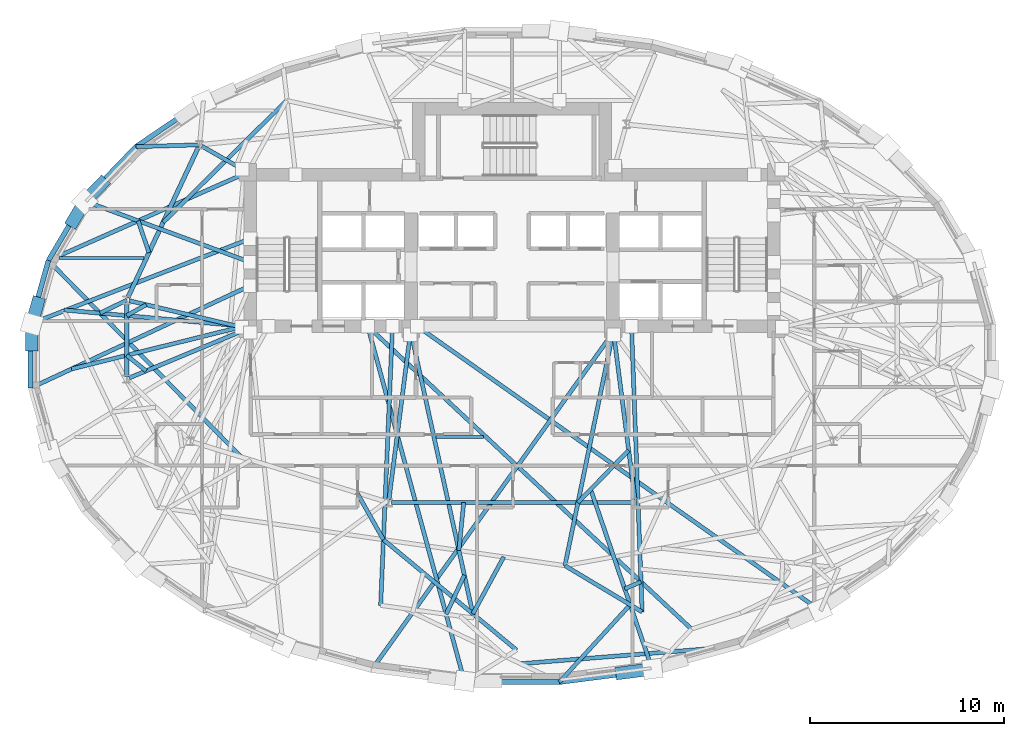
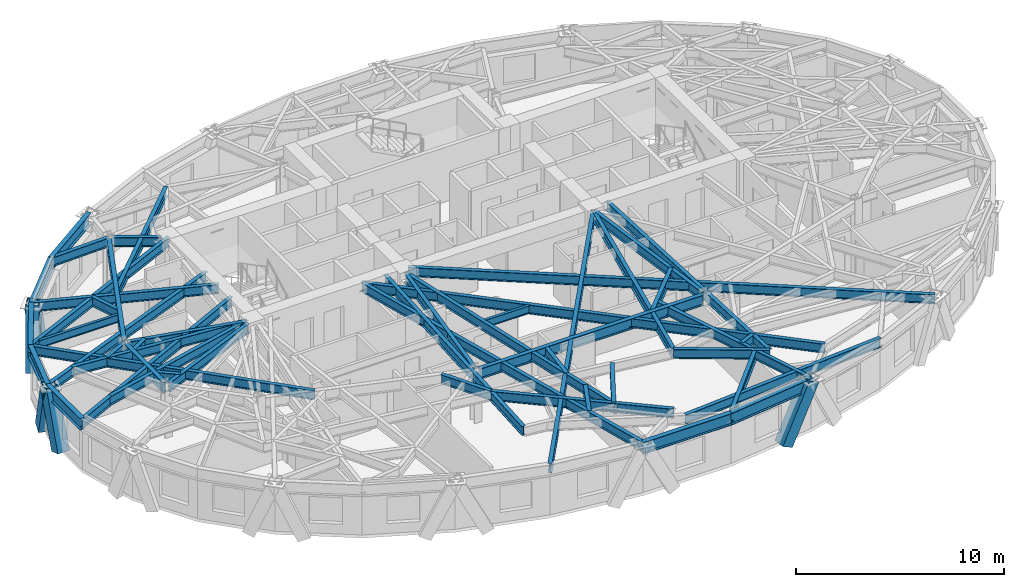
# One storey, part 2 of 15: 49 beams, 5 members.
"""IFC4 building model written with IfcOpenShell, lengths in metres."""

from ifc_helpers import new_model, si_unit, direction, frame, origin, origin_2d, place, context, subcontext, project, spatial, hollow_rectangle, i_section, extrude, material, material_profile, profile_set, type_object, element, save


model = new_model("IFC4")

# Units and contexts
model_context = context("Model", 3, precision=1e-05, world=origin(), true_north=direction((0.0, 1.0)))
body_context = subcontext(model_context, "Body", "Model", "MODEL_VIEW")
ifc_project = project(units=[si_unit("LENGTHUNIT", "METRE"), si_unit("AREAUNIT", "SQUARE_METRE"), si_unit("VOLUMEUNIT", "CUBIC_METRE"), si_unit("PLANEANGLEUNIT", "RADIAN"), si_unit("MASSUNIT", "GRAM", prefix="KILO")], contexts=[model_context])

# Site, building, storey
site_placement = place(None, origin())
site = spatial("IfcSite", under=ifc_project, at=site_placement, CompositionType="ELEMENT")
building_placement = place(site_placement, origin())
building = spatial("IfcBuilding", under=site, at=building_placement, Name="Keldmark Tower", CompositionType="ELEMENT")
storey_placement = place(building_placement, frame((0.0, 0.0, 163.0)))
storey = spatial("IfcBuildingStorey", under=building, at=storey_placement, Name="L44", CompositionType="ELEMENT", Elevation=163.0)

# Beams
ifc_material_1 = material(Name="Steel ASTM A992 Grade 50", Category="steel")
ifc_material_profile_1 = material_profile(ifc_material_1, i_section(OverallWidth=0.153076171875, OverallDepth=0.455078125, WebThickness=0.008056640625, FlangeThickness=0.01318359375, at=origin_2d()), Name="W18X40")
ifc_profile_set_1 = profile_set([ifc_material_profile_1], Name="Steel ASTM A992 Grade 50")
beam_type_1 = type_object("IfcBeamType", Name="Composite Floor Joist W18X40", PredefinedType="JOIST", material=ifc_profile_set_1)
beam_1_placement = place(storey_placement, frame((-3.917236328125, -4.179931640625, 2.79248046875), z_axis=(1.0, 0.0, 0.0), x_axis=(0.0, 1.0, 0.0)))
element("IfcBeam", 1, at=beam_1_placement, inside=storey, type_object=beam_type_1, Name="L44 Composite Floor Joist J03", PredefinedType="JOIST", context=body_context, shape_type="SweptSolid", body=[
    extrude(i_section(OverallWidth=0.153076171875, OverallDepth=0.455078125, WebThickness=0.008056640625, FlangeThickness=0.01318359375, at=origin_2d()), origin(), (0.0, 0.0, 1.0), 2.4501953125),
])
beam_2_placement = place(storey_placement, frame((-23.309326171875, 5.0400390625, 2.79248046875), z_axis=(1.0, 0.0, 0.0), x_axis=(0.0, 1.0, 0.0)))
element("IfcBeam", 2, at=beam_2_placement, inside=storey, type_object=beam_type_1, Name="L44 Composite Floor Joist J06", PredefinedType="JOIST", context=body_context, shape_type="SweptSolid", body=[
    extrude(i_section(OverallWidth=0.153076171875, OverallDepth=0.455078125, WebThickness=0.008056640625, FlangeThickness=0.01318359375, at=origin_2d()), origin(), (0.0, 0.0, 1.0), 4.381591796875),
])

# Members
ifc_material_2 = material(Name="Steel ASTM A572 Grade 50", Category="steel")
ifc_material_profile_2 = material_profile(ifc_material_2, hollow_rectangle(XDim=0.64990234375, YDim=0.64990234375, WallThickness=0.0400390625, at=origin_2d()), Name="BOX650X650X40")
ifc_profile_set_2 = profile_set([ifc_material_profile_2], Name="Steel ASTM A572 Grade 50")
member_type = type_object("IfcMemberType", Name="Diagrid Zone 3 Brace BOX650X650X40", PredefinedType="BRACE", material=ifc_profile_set_2)
member_1_placement = place(storey_placement, frame((-21.0947265625, 8.873291015625, -0.260009765625), z_axis=(-0.262478568709, -0.271564090166, 0.925936253692), x_axis=(0.719032546856, -0.694976400004, 0.0)))
element("IfcMember", 3, at=member_1_placement, inside=storey, type_object=member_type, Name="L44 Perimeter Diagrid Brace 07A", PredefinedType="BRACE", context=body_context, shape_type="SweptSolid", body=[
    extrude(hollow_rectangle(XDim=0.64990234375, YDim=0.64990234375, WallThickness=0.0400390625, at=origin_2d()), origin(), (0.0, 0.0, 1.0), 3.41259765625),
])
member_2_placement = place(storey_placement, frame((-22.590576171875, 6.929931640625, -0.260009765625), z_axis=(0.179634339939, 0.303896484951, 0.935616604357), x_axis=(-0.860853140724, 0.508853485894, 0.0)))
element("IfcMember", 4, at=member_2_placement, inside=storey, type_object=member_type, Name="L44 Perimeter Diagrid Brace 07B", PredefinedType="BRACE", context=body_context, shape_type="SweptSolid", body=[
    extrude(hollow_rectangle(XDim=0.64990234375, YDim=0.64990234375, WallThickness=0.0400390625, at=origin_2d()), origin(), (0.0, 0.0, 1.0), 3.37744140625),
])
member_3_placement = place(storey_placement, frame((-24.405517578125, 2.72021484375, -0.260009765625), z_axis=(-0.090321139282, -0.323220128566, 0.94200363072), x_axis=(0.963103534488, -0.269131161067, 0.0)))
element("IfcMember", 5, at=member_3_placement, inside=storey, type_object=member_type, Name="L44 Perimeter Diagrid Brace 08A", PredefinedType="BRACE", context=body_context, shape_type="SweptSolid", body=[
    extrude(hollow_rectangle(XDim=0.64990234375, YDim=0.64990234375, WallThickness=0.0400390625, at=origin_2d()), origin(), (0.0, 0.0, 1.0), 3.3544921875),
])
member_4_placement = place(storey_placement, frame((-24.706298828125, 0.54541015625, -0.260009765625), z_axis=(0.0, 0.329372156318, 0.944200181446), x_axis=(-1.0, 0.0, 0.0)))
element("IfcMember", 6, at=member_4_placement, inside=storey, type_object=member_type, Name="L44 Perimeter Diagrid Brace 08B", PredefinedType="BRACE", context=body_context, shape_type="SweptSolid", body=[
    extrude(hollow_rectangle(XDim=0.64990234375, YDim=0.64990234375, WallThickness=0.0400390625, at=origin_2d()), origin(), (0.0, 0.0, 1.0), 3.3466796875),
])
member_5_placement = place(storey_placement, frame((5.6318359375, -16.3173828125, -0.260009765625), z_axis=(0.450780651387, 0.057878859209, 0.890756331435), x_axis=(-0.127351493636, 0.991857649599, 0.0)))
element("IfcMember", 7, at=member_5_placement, inside=storey, type_object=member_type, Name="L44 Perimeter Diagrid Brace 13A", PredefinedType="BRACE", context=body_context, shape_type="SweptSolid", body=[
    extrude(hollow_rectangle(XDim=0.64990234375, YDim=0.64990234375, WallThickness=0.0400390625, at=origin_2d()), origin(), (0.0, 0.0, 1.0), 3.54736328125),
])

# Beams
ifc_material_3 = material(Name="Steel ASTM A992 Grade 50", Category="steel")
ifc_material_profile_3 = material_profile(ifc_material_3, i_section(OverallWidth=0.22900390625, OverallDepth=0.612060546875, WebThickness=0.011962890625, FlangeThickness=0.01953125, at=origin_2d()), Name="W24X84")
ifc_profile_set_3 = profile_set([ifc_material_profile_3], Name="Steel ASTM A992 Grade 50")
beam_type_2 = type_object("IfcBeamType", Name="Primary Floor Girder W24X84", PredefinedType="BEAM", material=ifc_profile_set_3)
beam_3_placement = place(storey_placement, frame((-16.140869140625, 10.734130859375, 2.714111328125), z_axis=(-0.424526823774, -0.905415360979, 0.0), x_axis=(0.905415360979, -0.424526823774, 0.0)))
element("IfcBeam", 8, at=beam_3_placement, inside=storey, type_object=beam_type_2, Name="L44 Floor Ring Girder FG-R05", PredefinedType="BEAM", context=body_context, shape_type="SweptSolid", body=[
    extrude(i_section(OverallWidth=0.22900390625, OverallDepth=0.612060546875, WebThickness=0.011962890625, FlangeThickness=0.01953125, at=origin_2d()), origin(), (0.0, 0.0, 1.0), 8.54638671875),
])
beam_4_placement = place(storey_placement, frame((-19.828369140625, 2.729248046875, 2.714111328125), z_axis=(0.0, -1.0, 0.0), x_axis=(1.0, 0.0, 0.0)))
element("IfcBeam", 9, at=beam_4_placement, inside=storey, type_object=beam_type_2, Name="L44 Floor Ring Girder FG-R06", PredefinedType="BEAM", context=body_context, shape_type="SweptSolid", body=[
    extrude(i_section(OverallWidth=0.22900390625, OverallDepth=0.612060546875, WebThickness=0.011962890625, FlangeThickness=0.01953125, at=origin_2d()), origin(), (0.0, 0.0, 1.0), 3.778564453125),
])
beam_5_placement = place(storey_placement, frame((-6.211181640625, -7.546142578125, 2.714111328125), z_axis=(1.0, 0.0, 0.0), x_axis=(0.0, 1.0, 0.0)))
element("IfcBeam", 10, at=beam_5_placement, inside=storey, type_object=beam_type_2, Name="L44 Floor Ring Girder FG-R09", PredefinedType="BEAM", context=body_context, shape_type="SweptSolid", body=[
    extrude(i_section(OverallWidth=0.22900390625, OverallDepth=0.612060546875, WebThickness=0.011962890625, FlangeThickness=0.01953125, at=origin_2d()), origin(), (0.0, 0.0, 1.0), 12.42236328125),
])
ifc_material_4 = material(Name="Steel ASTM A992 Grade 50", Category="steel")
ifc_material_profile_4 = material_profile(ifc_material_4, i_section(OverallWidth=0.2099609375, OverallDepth=0.537109375, WebThickness=0.010986328125, FlangeThickness=0.017333984375, at=origin_2d()), Name="W21X68")
ifc_profile_set_4 = profile_set([ifc_material_profile_4], Name="Steel ASTM A992 Grade 50")
beam_type_3 = type_object("IfcBeamType", Name="Radial Tie Girder W21X68", PredefinedType="BEAM", material=ifc_profile_set_4)
beam_6_placement = place(storey_placement, frame((-15.959716796875, 10.791748046875, 2.75146484375), z_axis=(0.86929527307, -0.494293160197, 0.0), x_axis=(0.494293160197, 0.86929527307, 0.0)))
element("IfcBeam", 11, at=beam_6_placement, inside=storey, type_object=beam_type_3, Name="L44 Floor Radial Girder FG-C05", PredefinedType="BEAM", context=body_context, shape_type="SweptSolid", body=[
    extrude(i_section(OverallWidth=0.2099609375, OverallDepth=0.537109375, WebThickness=0.010986328125, FlangeThickness=0.017333984375, at=origin_2d()), origin(), (0.0, 0.0, 1.0), 2.39453125),
])
beam_7_placement = place(storey_placement, frame((-19.692138671875, 2.837158203125, 2.75146484375), z_axis=(0.973280062348, -0.229621253887, 0.0), x_axis=(0.229621253887, 0.973280062348, 0.0)))
element("IfcBeam", 12, at=beam_7_placement, inside=storey, type_object=beam_type_3, Name="L44 Floor Radial Girder FG-C06", PredefinedType="BEAM", context=body_context, shape_type="SweptSolid", body=[
    extrude(i_section(OverallWidth=0.2099609375, OverallDepth=0.537109375, WebThickness=0.010986328125, FlangeThickness=0.017333984375, at=origin_2d()), origin(), (0.0, 0.0, 1.0), 5.939208984375),
])
beam_8_placement = place(storey_placement, frame((-19.69921875, -1.135498046875, 2.75146484375), z_axis=(0.923393794893, 0.383854008124, 0.0), x_axis=(-0.383854008124, 0.923393794893, 0.0)))
element("IfcBeam", 13, at=beam_8_placement, inside=storey, type_object=beam_type_3, Name="L44 Floor Radial Girder FG-C07", PredefinedType="BEAM", context=body_context, shape_type="SweptSolid", body=[
    extrude(i_section(OverallWidth=0.2099609375, OverallDepth=0.537109375, WebThickness=0.010986328125, FlangeThickness=0.017333984375, at=origin_2d()), origin(), (0.0, 0.0, 1.0), 6.28515625),
])
for number, where, z_axis, x_axis, name in (
    (14, (-6.333251953125, -7.4072265625, 2.75146484375), (0.127635577416, 0.991821132754, 0.0), (-0.991821132754, 0.127635577416, 0.0), "L44 Floor Radial Girder FG-C09"),
    (15, (6.333251953125, -7.4072265625, 2.75146484375), (-0.127635577416, 0.991821132754, 0.0), (-0.991821132754, -0.127635577416, 0.0), "L44 Floor Radial Girder FG-C10"),
):
    element("IfcBeam", number, at=place(storey_placement, frame(where, z_axis=z_axis, x_axis=x_axis)), inside=storey, type_object=beam_type_3, Name=name, PredefinedType="BEAM", context=body_context, shape_type="SweptSolid", body=[
        extrude(i_section(OverallWidth=0.2099609375, OverallDepth=0.537109375, WebThickness=0.010986328125, FlangeThickness=0.017333984375, at=origin_2d()), origin(), (0.0, 0.0, 1.0), 8.559814453125),
    ])
beam_9_placement = place(storey_placement, frame((-18.82861328125, -0.773681640625, 2.75146484375), z_axis=(-0.779288200564, 0.626665700722, 0.0), x_axis=(-0.626665700722, -0.779288200564, 0.0)))
element("IfcBeam", 16, at=beam_9_placement, inside=storey, type_object=beam_type_3, Name="L44 Framing Pin Header PH-001", PredefinedType="BEAM", context=body_context, shape_type="SweptSolid", body=[
    extrude(i_section(OverallWidth=0.2099609375, OverallDepth=0.537109375, WebThickness=0.010986328125, FlangeThickness=0.017333984375, at=origin_2d()), origin(), (0.0, 0.0, 1.0), 1.282958984375),
])
beam_10_placement = place(storey_placement, frame((-13.800048828125, 1.52490234375, 2.75146484375), z_axis=(-0.970610768192, -0.240654808118, 0.0), x_axis=(0.240654808118, -0.970610768192, 0.0)))
element("IfcBeam", 17, at=beam_10_placement, inside=storey, type_object=beam_type_3, Name="L44 Sub-Ring Step Girder STP1-M07", PredefinedType="BEAM", context=body_context, shape_type="SweptSolid", body=[
    extrude(i_section(OverallWidth=0.2099609375, OverallDepth=0.537109375, WebThickness=0.010986328125, FlangeThickness=0.017333984375, at=origin_2d()), origin(), (0.0, 0.0, 1.0), 9.134521484375),
])
beam_11_placement = place(storey_placement, frame((-18.824951171875, 2.632568359375, 2.75146484375), z_axis=(-0.872650802623, -0.488344731395, 0.0), x_axis=(0.488344731395, -0.872650802623, 0.0)))
element("IfcBeam", 18, at=beam_11_placement, inside=storey, type_object=beam_type_3, Name="L44 Framing Pin Header PH-005", PredefinedType="BEAM", context=body_context, shape_type="SweptSolid", body=[
    extrude(i_section(OverallWidth=0.2099609375, OverallDepth=0.537109375, WebThickness=0.010986328125, FlangeThickness=0.017333984375, at=origin_2d()), origin(), (0.0, 0.0, 1.0), 1.14990234375),
])
beam_12_placement = place(storey_placement, frame((-13.800048828125, 1.52490234375, 2.75146484375), z_axis=(-0.995920918617, 0.090230393222, 0.0), x_axis=(-0.090230393222, -0.995920918617, 0.0)))
element("IfcBeam", 19, at=beam_12_placement, inside=storey, type_object=beam_type_3, Name="L44 Sub-Ring Step Girder STP2-M07", PredefinedType="BEAM", context=body_context, shape_type="SweptSolid", body=[
    extrude(i_section(OverallWidth=0.2099609375, OverallDepth=0.537109375, WebThickness=0.010986328125, FlangeThickness=0.017333984375, at=origin_2d()), origin(), (0.0, 0.0, 1.0), 9.299560546875),
])
beam_13_placement = place(storey_placement, frame((6.005615234375, -4.8603515625, 2.75146484375), z_axis=(-0.697030922588, -0.717041067831, 0.0), x_axis=(0.717041067831, -0.697030922588, 0.0)))
element("IfcBeam", 20, at=beam_13_placement, inside=storey, type_object=beam_type_3, Name="L44 Framing Pin Header PH-007", PredefinedType="BEAM", context=body_context, shape_type="SweptSolid", body=[
    extrude(i_section(OverallWidth=0.2099609375, OverallDepth=0.537109375, WebThickness=0.010986328125, FlangeThickness=0.017333984375, at=origin_2d()), origin(), (0.0, 0.0, 1.0), 3.74560546875),
])
beam_14_placement = place(storey_placement, frame((5.199951171875, 1.199951171875, 2.75146484375), z_axis=(-0.202145542954, -0.979355491874, 0.0), x_axis=(0.979355491874, -0.202145542954, 0.0)))
element("IfcBeam", 21, at=beam_14_placement, inside=storey, type_object=beam_type_3, Name="L44 Sub-Ring Step Girder STP2-M10", PredefinedType="BEAM", context=body_context, shape_type="SweptSolid", body=[
    extrude(i_section(OverallWidth=0.2099609375, OverallDepth=0.537109375, WebThickness=0.010986328125, FlangeThickness=0.017333984375, at=origin_2d()), origin(), (0.0, 0.0, 1.0), 12.2490234375),
])
beam_15_placement = place(storey_placement, frame((-17.954833984375, 6.864990234375, 2.75146484375), z_axis=(0.711871580228, 0.702309656251, 0.0), x_axis=(-0.702309656251, 0.711871580228, 0.0)))
element("IfcBeam", 22, at=beam_15_placement, inside=storey, type_object=beam_type_3, Name="L44 Intermediate Radial Step Girder RT-11M", PredefinedType="BEAM", context=body_context, shape_type="SweptSolid", body=[
    extrude(i_section(OverallWidth=0.2099609375, OverallDepth=0.537109375, WebThickness=0.010986328125, FlangeThickness=0.017333984375, at=origin_2d()), origin(), (0.0, 0.0, 1.0), 8.9365234375),
])
beam_16_placement = place(storey_placement, frame((-16.08154296875, 10.861083984375, 2.75146484375), z_axis=(-0.999564975012, -0.029493401444, 0.0), x_axis=(0.029493401444, -0.999564975012, 0.0)))
element("IfcBeam", 23, at=beam_16_placement, inside=storey, type_object=beam_type_3, Name="L44 Perimeter Column Bracket RT-13", PredefinedType="BEAM", context=body_context, shape_type="SweptSolid", body=[
    extrude(i_section(OverallWidth=0.2099609375, OverallDepth=0.537109375, WebThickness=0.010986328125, FlangeThickness=0.017333984375, at=origin_2d()), origin(), (0.0, 0.0, 1.0), 3.269775390625),
])
beam_17_placement = place(storey_placement, frame((-19.828369140625, 2.869140625, 2.75146484375), z_axis=(-0.896879571725, -0.44227483969, 0.0), x_axis=(0.44227483969, -0.896879571725, 0.0)))
element("IfcBeam", 24, at=beam_17_placement, inside=storey, type_object=beam_type_3, Name="L44 Framing Pin Header PH-014", PredefinedType="BEAM", context=body_context, shape_type="SweptSolid", body=[
    extrude(i_section(OverallWidth=0.2099609375, OverallDepth=0.537109375, WebThickness=0.010986328125, FlangeThickness=0.017333984375, at=origin_2d()), origin(), (0.0, 0.0, 1.0), 1.524658203125),
])
beam_18_placement = place(storey_placement, frame((-13.930908203125, -5.2060546875, 2.75146484375), z_axis=(-0.700520370679, 0.713632405559, 0.0), x_axis=(-0.713632405559, -0.700520370679, 0.0)))
element("IfcBeam", 25, at=beam_18_placement, inside=storey, type_object=beam_type_3, Name="L44 Perimeter Radial Tie Girder RT-15", PredefinedType="BEAM", context=body_context, shape_type="SweptSolid", body=[
    extrude(i_section(OverallWidth=0.2099609375, OverallDepth=0.537109375, WebThickness=0.010986328125, FlangeThickness=0.017333984375, at=origin_2d()), origin(), (0.0, 0.0, 1.0), 14.16943359375),
])
beam_19_placement = place(storey_placement, frame((-13.47509765625, 6.028564453125, 2.75146484375), z_axis=(-0.932448937032, -0.361301784977, 0.0), x_axis=(0.361301784977, -0.932448937032, 0.0)))
element("IfcBeam", 26, at=beam_19_placement, inside=storey, type_object=beam_type_3, Name="L44 Perimeter Radial Tie Girder RT-16", PredefinedType="BEAM", context=body_context, shape_type="SweptSolid", body=[
    extrude(i_section(OverallWidth=0.2099609375, OverallDepth=0.537109375, WebThickness=0.010986328125, FlangeThickness=0.017333984375, at=origin_2d()), origin(), (0.0, 0.0, 1.0), 12.10888671875),
])
beam_20_placement = place(storey_placement, frame((-13.47509765625, 3.6142578125, 2.75146484375), z_axis=(-0.906223684344, -0.422798573713, 0.0), x_axis=(0.422798573713, -0.906223684344, 0.0)))
element("IfcBeam", 27, at=beam_20_placement, inside=storey, type_object=beam_type_3, Name="L44 Perimeter Radial Tie Girder RT-17", PredefinedType="BEAM", context=body_context, shape_type="SweptSolid", body=[
    extrude(i_section(OverallWidth=0.2099609375, OverallDepth=0.537109375, WebThickness=0.010986328125, FlangeThickness=0.017333984375, at=origin_2d()), origin(), (0.0, 0.0, 1.0), 12.45947265625),
])
beam_21_placement = place(storey_placement, frame((-7.97412109375, -7.045166015625, 2.75146484375), z_axis=(0.49069663956, -0.871330481462, 0.0), x_axis=(0.871330481462, 0.49069663956, 0.0)))
element("IfcBeam", 28, at=beam_21_placement, inside=storey, type_object=beam_type_3, Name="L44 Framing Pin Header PH-021", PredefinedType="BEAM", context=body_context, shape_type="SweptSolid", body=[
    extrude(i_section(OverallWidth=0.2099609375, OverallDepth=0.537109375, WebThickness=0.010986328125, FlangeThickness=0.017333984375, at=origin_2d()), origin(), (0.0, 0.0, 1.0), 2.768310546875),
])
beam_22_placement = place(storey_placement, frame((-6.14990234375, 1.52490234375, 2.75146484375), z_axis=(-0.042370807986, -0.999101954072, 0.0), x_axis=(0.999101954072, -0.042370807986, 0.0)))
element("IfcBeam", 29, at=beam_22_placement, inside=storey, type_object=beam_type_3, Name="L44 Intermediate Radial Step Girder RT-23M", PredefinedType="BEAM", context=body_context, shape_type="SweptSolid", body=[
    extrude(i_section(OverallWidth=0.2099609375, OverallDepth=0.537109375, WebThickness=0.010986328125, FlangeThickness=0.017333984375, at=origin_2d()), origin(), (0.0, 0.0, 1.0), 14.376220703125),
])
beam_23_placement = place(storey_placement, frame((-2.484619140625, -7.546142578125, 2.75146484375), z_axis=(-0.099513464633, -0.995036215601, 0.0), x_axis=(0.995036215601, -0.099513464633, 0.0)))
element("IfcBeam", 30, at=beam_23_placement, inside=storey, type_object=beam_type_3, Name="L44 Framing Pin Header PH-022", PredefinedType="BEAM", context=body_context, shape_type="SweptSolid", body=[
    extrude(i_section(OverallWidth=0.2099609375, OverallDepth=0.537109375, WebThickness=0.010986328125, FlangeThickness=0.017333984375, at=origin_2d()), origin(), (0.0, 0.0, 1.0), 2.480224609375),
])
beam_24_placement = place(storey_placement, frame((-5.199951171875, 1.199951171875, 2.75146484375), z_axis=(0.214982849645, -0.976617824105, 0.0), x_axis=(0.976617824105, 0.214982849645, 0.0)))
element("IfcBeam", 31, at=beam_24_placement, inside=storey, type_object=beam_type_3, Name="L44 Intermediate Radial Step Girder RT-24M", PredefinedType="BEAM", context=body_context, shape_type="SweptSolid", body=[
    extrude(i_section(OverallWidth=0.2099609375, OverallDepth=0.537109375, WebThickness=0.010986328125, FlangeThickness=0.017333984375, at=origin_2d()), origin(), (0.0, 0.0, 1.0), 15.04150390625),
])
beam_25_placement = place(storey_placement, frame((-2.451416015625, -11.286376953125, 2.75146484375), z_axis=(-0.423060183444, -0.906101584363, 0.0), x_axis=(0.906101584363, -0.423060183444, 0.0)))
element("IfcBeam", 32, at=beam_25_placement, inside=storey, type_object=beam_type_3, Name="L44 Framing Pin Header PH-023", PredefinedType="BEAM", context=body_context, shape_type="SweptSolid", body=[
    extrude(i_section(OverallWidth=0.2099609375, OverallDepth=0.537109375, WebThickness=0.010986328125, FlangeThickness=0.017333984375, at=origin_2d()), origin(), (0.0, 0.0, 1.0), 2.21826171875),
])
beam_26_placement = place(storey_placement, frame((-7.425048828125, 1.52490234375, 2.75146484375), z_axis=(0.262695067336, -0.964878905147, 0.0), x_axis=(0.964878905147, 0.262695067336, 0.0)))
element("IfcBeam", 33, at=beam_26_placement, inside=storey, type_object=beam_type_3, Name="L44 Perimeter Radial Tie Girder RT-24", PredefinedType="BEAM", context=body_context, shape_type="SweptSolid", body=[
    extrude(i_section(OverallWidth=0.2099609375, OverallDepth=0.537109375, WebThickness=0.010986328125, FlangeThickness=0.017333984375, at=origin_2d()), origin(), (0.0, 0.0, 1.0), 18.9794921875),
])
beam_27_placement = place(storey_placement, frame((-0.42431640625, -10.3447265625, 2.75146484375), z_axis=(-0.477146839021, -0.878823585261, 0.0), x_axis=(0.878823585261, -0.477146839021, 0.0)))
element("IfcBeam", 34, at=beam_27_placement, inside=storey, type_object=beam_type_3, Name="L44 Framing Pin Header PH-024", PredefinedType="BEAM", context=body_context, shape_type="SweptSolid", body=[
    extrude(i_section(OverallWidth=0.2099609375, OverallDepth=0.537109375, WebThickness=0.010986328125, FlangeThickness=0.017333984375, at=origin_2d()), origin(), (0.0, 0.0, 1.0), 3.33203125),
])
beam_28_placement = place(storey_placement, frame((-6.61572265625, -9.457275390625, 2.75146484375), z_axis=(0.769788200668, -0.638299401623, 0.0), x_axis=(0.638299401623, 0.769788200668, 0.0)))
element("IfcBeam", 35, at=beam_28_placement, inside=storey, type_object=beam_type_3, Name="L44 Intermediate Radial Step Girder RT-25M", PredefinedType="BEAM", context=body_context, shape_type="SweptSolid", body=[
    extrude(i_section(OverallWidth=0.2099609375, OverallDepth=0.537109375, WebThickness=0.010986328125, FlangeThickness=0.017333984375, at=origin_2d()), origin(), (0.0, 0.0, 1.0), 8.901123046875),
])
beam_29_placement = place(storey_placement, frame((6.14990234375, 1.52490234375, 2.75146484375), z_axis=(0.037079802935, -0.999312307647, 0.0), x_axis=(0.999312307647, 0.037079802935, 0.0)))
element("IfcBeam", 36, at=beam_29_placement, inside=storey, type_object=beam_type_3, Name="L44 Intermediate Radial Step Girder RT-26M", PredefinedType="BEAM", context=body_context, shape_type="SweptSolid", body=[
    extrude(i_section(OverallWidth=0.2099609375, OverallDepth=0.537109375, WebThickness=0.010986328125, FlangeThickness=0.017333984375, at=origin_2d()), origin(), (0.0, 0.0, 1.0), 14.708984375),
])
beam_30_placement = place(storey_placement, frame((2.723876953125, -10.796142578125, 2.75146484375), z_axis=(0.857962596816, -0.513712159156, 0.0), x_axis=(0.513712159156, 0.857962596816, 0.0)))
element("IfcBeam", 37, at=beam_30_placement, inside=storey, type_object=beam_type_3, Name="L44 Local Collector Chord RT-26C", PredefinedType="BEAM", context=body_context, shape_type="SweptSolid", body=[
    extrude(i_section(OverallWidth=0.2099609375, OverallDepth=0.537109375, WebThickness=0.010986328125, FlangeThickness=0.017333984375, at=origin_2d()), origin(), (0.0, 0.0, 1.0), 4.62890625),
])
beam_31_placement = place(storey_placement, frame((2.439208984375, -16.7880859375, 2.75146484375), z_axis=(0.675130301836, 0.737698499078, 0.0), x_axis=(-0.737698499078, 0.675130301836, 0.0)))
element("IfcBeam", 38, at=beam_31_placement, inside=storey, type_object=beam_type_3, Name="L44 Framing Pin Header PH-027", PredefinedType="BEAM", context=body_context, shape_type="SweptSolid", body=[
    extrude(i_section(OverallWidth=0.2099609375, OverallDepth=0.537109375, WebThickness=0.010986328125, FlangeThickness=0.017333984375, at=origin_2d()), origin(), (0.0, 0.0, 1.0), 5.396484375),
])
beam_32_placement = place(storey_placement, frame((4.04736328125, -6.87451171875, 2.75146484375), z_axis=(0.324486883969, -0.9458901956, 0.0), x_axis=(0.9458901956, 0.324486883969, 0.0)))
element("IfcBeam", 39, at=beam_32_placement, inside=storey, type_object=beam_type_3, Name="L44 Perimeter Radial Tie Girder RT-26", PredefinedType="BEAM", context=body_context, shape_type="SweptSolid", body=[
    extrude(i_section(OverallWidth=0.2099609375, OverallDepth=0.537109375, WebThickness=0.010986328125, FlangeThickness=0.017333984375, at=origin_2d()), origin(), (0.0, 0.0, 1.0), 9.8291015625),
])
beam_33_placement = place(storey_placement, frame((5.801513671875, -11.988037109375, 2.75146484375), z_axis=(0.917516539178, 0.39769762425, 0.0), x_axis=(-0.39769762425, 0.917516539178, 0.0)))
element("IfcBeam", 40, at=beam_33_placement, inside=storey, type_object=beam_type_3, Name="L44 Framing Pin Header PH-028", PredefinedType="BEAM", context=body_context, shape_type="SweptSolid", body=[
    extrude(i_section(OverallWidth=0.2099609375, OverallDepth=0.537109375, WebThickness=0.010986328125, FlangeThickness=0.017333984375, at=origin_2d()), origin(), (0.0, 0.0, 1.0), 0.91162109375),
])
beam_34_placement = place(storey_placement, frame((-7.425048828125, 1.52490234375, 2.75146484375), z_axis=(0.730404363647, -0.683014981948, 0.0), x_axis=(0.683014981948, 0.730404363647, 0.0)))
element("IfcBeam", 41, at=beam_34_placement, inside=storey, type_object=beam_type_3, Name="L44 Intermediate Radial Step Girder RT-27M", PredefinedType="BEAM", context=body_context, shape_type="SweptSolid", body=[
    extrude(i_section(OverallWidth=0.2099609375, OverallDepth=0.537109375, WebThickness=0.010986328125, FlangeThickness=0.017333984375, at=origin_2d()), origin(), (0.0, 0.0, 1.0), 22.812255859375),
])
beam_35_placement = place(storey_placement, frame((0.439208984375, -15.84130859375, 2.75146484375), z_axis=(0.996842108997, 0.079409128755, 0.0), x_axis=(-0.079409128755, 0.996842108997, 0.0)))
element("IfcBeam", 42, at=beam_35_placement, inside=storey, type_object=beam_type_3, Name="L44 Perimeter Radial Tie Girder RT-27", PredefinedType="BEAM", context=body_context, shape_type="SweptSolid", body=[
    extrude(i_section(OverallWidth=0.2099609375, OverallDepth=0.537109375, WebThickness=0.010986328125, FlangeThickness=0.017333984375, at=origin_2d()), origin(), (0.0, 0.0, 1.0), 11.37548828125),
])
beam_36_placement = place(storey_placement, frame((-4.875, 1.52490234375, 2.75146484375), z_axis=(0.817132986975, -0.576449201229, 0.0), x_axis=(0.576449201229, 0.817132986975, 0.0)))
element("IfcBeam", 43, at=beam_36_placement, inside=storey, type_object=beam_type_3, Name="L44 Perimeter Radial Tie Girder RT-28", PredefinedType="BEAM", context=body_context, shape_type="SweptSolid", body=[
    extrude(i_section(OverallWidth=0.2099609375, OverallDepth=0.537109375, WebThickness=0.010986328125, FlangeThickness=0.017333984375, at=origin_2d()), origin(), (0.0, 0.0, 1.0), 25.399658203125),
])
beam_37_placement = place(storey_placement, frame((-13.60009765625, 9.449951171875, 2.75146484375), z_axis=(-0.914287451724, -0.405065989216, 0.0), x_axis=(0.405065989216, -0.914287451724, 0.0)))
element("IfcBeam", 44, at=beam_37_placement, inside=storey, type_object=beam_type_3, Name="L44 Straddling Support Chord RT-14RB", PredefinedType="BEAM", context=body_context, shape_type="SweptSolid", body=[
    extrude(i_section(OverallWidth=0.2099609375, OverallDepth=0.537109375, WebThickness=0.010986328125, FlangeThickness=0.017333984375, at=origin_2d()), origin(), (0.0, 0.0, 1.0), 11.218505859375),
])
beam_38_placement = place(storey_placement, frame((-18.6806640625, 5.3173828125, 2.75146484375), z_axis=(-0.323850853624, 0.946108146359, 0.0), x_axis=(-0.946108146359, -0.323850853624, 0.0)))
element("IfcBeam", 45, at=beam_38_placement, inside=storey, type_object=beam_type_3, Name="L44 Framing Pin Header PH-039", PredefinedType="BEAM", context=body_context, shape_type="SweptSolid", body=[
    extrude(i_section(OverallWidth=0.2099609375, OverallDepth=0.537109375, WebThickness=0.010986328125, FlangeThickness=0.017333984375, at=origin_2d()), origin(), (0.0, 0.0, 1.0), 1.72705078125),
])
beam_39_placement = place(storey_placement, frame((-13.47509765625, 4.8212890625, 2.75146484375), z_axis=(-0.938023045306, 0.346572887679, 0.0), x_axis=(-0.346572887679, -0.938023045306, 0.0)))
element("IfcBeam", 46, at=beam_39_placement, inside=storey, type_object=beam_type_3, Name="L44 Perimeter Radial Tie Girder RT-14R", PredefinedType="BEAM", context=body_context, shape_type="SweptSolid", body=[
    extrude(i_section(OverallWidth=0.2099609375, OverallDepth=0.537109375, WebThickness=0.010986328125, FlangeThickness=0.017333984375, at=origin_2d()), origin(), (0.0, 0.0, 1.0), 9.12744140625),
])
beam_40_placement = place(storey_placement, frame((5.199951171875, 1.199951171875, 2.75146484375), z_axis=(-0.582115591998, -0.813106043239, 0.0), x_axis=(0.813106043239, -0.582115591998, 0.0)))
element("IfcBeam", 47, at=beam_40_placement, inside=storey, type_object=beam_type_3, Name="L44 Perimeter Radial Tie Girder RT-23R", PredefinedType="BEAM", context=body_context, shape_type="SweptSolid", body=[
    extrude(i_section(OverallWidth=0.2099609375, OverallDepth=0.537109375, WebThickness=0.010986328125, FlangeThickness=0.017333984375, at=origin_2d()), origin(), (0.0, 0.0, 1.0), 21.36474609375),
])
ifc_material_5 = material(Name="Steel ASTM A992 Grade 50", Category="steel")
ifc_material_profile_5 = material_profile(ifc_material_5, i_section(OverallWidth=0.256103515625, OverallDepth=0.693115234375, WebThickness=0.014404296875, FlangeThickness=0.023681640625, at=origin_2d()), Name="W27X114")
ifc_profile_set_5 = profile_set([ifc_material_profile_5], Name="Steel ASTM A992 Grade 50")
beam_type_4 = type_object("IfcBeamType", Name="Spandrel Ring Beam W27X114", PredefinedType="SPANDREL", material=ifc_profile_set_5)
beam_41_placement = place(storey_placement, frame((-15.8798828125, 13.11669921875, 2.673583984375), z_axis=(-0.827760762475, -0.561081206338, 0.0), x_axis=(0.561081206338, -0.827760762475, 0.0)))
element("IfcBeam", 48, at=beam_41_placement, inside=storey, type_object=beam_type_4, Name="L44 Perimeter Spandrel Ring Beam SRB-12", PredefinedType="SPANDREL", context=body_context, shape_type="SweptSolid", body=[
    extrude(i_section(OverallWidth=0.256103515625, OverallDepth=0.693115234375, WebThickness=0.014404296875, FlangeThickness=0.023681640625, at=origin_2d()), origin(), (0.0, 0.0, 1.0), 4.19189453125),
])
beam_42_placement = place(storey_placement, frame((-19.349853515625, 10.7646484375, 2.673583984375), z_axis=(-0.694975307772, -0.719033602544, 0.0), x_axis=(0.719033602544, -0.694975307772, 0.0)))
element("IfcBeam", 49, at=beam_42_placement, inside=storey, type_object=beam_type_4, Name="L44 Perimeter Spandrel Ring Beam SRB-13", PredefinedType="SPANDREL", context=body_context, shape_type="SweptSolid", body=[
    extrude(i_section(OverallWidth=0.256103515625, OverallDepth=0.693115234375, WebThickness=0.014404296875, FlangeThickness=0.023681640625, at=origin_2d()), origin(), (0.0, 0.0, 1.0), 3.866455078125),
])
beam_43_placement = place(storey_placement, frame((-22.036865234375, 7.984619140625, 2.673583984375), z_axis=(-0.508883387051, -0.860835465338, 0.0), x_axis=(0.860835465338, -0.508883387051, 0.0)))
element("IfcBeam", 50, at=beam_43_placement, inside=storey, type_object=beam_type_4, Name="L44 Perimeter Spandrel Ring Beam SRB-14", PredefinedType="SPANDREL", context=body_context, shape_type="SweptSolid", body=[
    extrude(i_section(OverallWidth=0.256103515625, OverallDepth=0.693115234375, WebThickness=0.014404296875, FlangeThickness=0.023681640625, at=origin_2d()), origin(), (0.0, 0.0, 1.0), 3.57666015625),
])
beam_44_placement = place(storey_placement, frame((-23.85693359375, 4.90576171875, 2.673583984375), z_axis=(-0.269235699479, -0.963074315993, 0.0), x_axis=(0.963074315993, -0.269235699479, 0.0)))
element("IfcBeam", 51, at=beam_44_placement, inside=storey, type_object=beam_type_4, Name="L44 Perimeter Spandrel Ring Beam SRB-15", PredefinedType="SPANDREL", context=body_context, shape_type="SweptSolid", body=[
    extrude(i_section(OverallWidth=0.256103515625, OverallDepth=0.693115234375, WebThickness=0.014404296875, FlangeThickness=0.023681640625, at=origin_2d()), origin(), (0.0, 0.0, 1.0), 3.376953125),
])
beam_45_placement = place(storey_placement, frame((-24.76611328125, 1.653564453125, 2.673583984375), z_axis=(0.0, -1.0, 0.0), x_axis=(1.0, 0.0, 0.0)))
element("IfcBeam", 52, at=beam_45_placement, inside=storey, type_object=beam_type_4, Name="L44 Perimeter Spandrel Ring Beam SRB-16", PredefinedType="SPANDREL", context=body_context, shape_type="SweptSolid", body=[
    extrude(i_section(OverallWidth=0.256103515625, OverallDepth=0.693115234375, WebThickness=0.014404296875, FlangeThickness=0.023681640625, at=origin_2d()), origin(), (0.0, 0.0, 1.0), 3.30712890625),
])
beam_46_placement = place(storey_placement, frame((-2.439208984375, -16.7880859375, 2.673583984375), z_axis=(1.0, 0.0, 0.0), x_axis=(0.0, 1.0, 0.0)))
element("IfcBeam", 53, at=beam_46_placement, inside=storey, type_object=beam_type_4, Name="L44 Perimeter Spandrel Ring Beam SRB-24", PredefinedType="SPANDREL", context=body_context, shape_type="SweptSolid", body=[
    extrude(i_section(OverallWidth=0.256103515625, OverallDepth=0.693115234375, WebThickness=0.014404296875, FlangeThickness=0.023681640625, at=origin_2d()), origin(), (0.0, 0.0, 1.0), 4.87841796875),
])
beam_47_placement = place(storey_placement, frame((2.439208984375, -16.7880859375, 2.673583984375), z_axis=(0.991852091732, 0.127394772761, 0.0), x_axis=(-0.127394772761, 0.991852091732, 0.0)))
element("IfcBeam", 54, at=beam_47_placement, inside=storey, type_object=beam_type_4, Name="L44 Perimeter Spandrel Ring Beam SRB-25", PredefinedType="SPANDREL", context=body_context, shape_type="SweptSolid", body=[
    extrude(i_section(OverallWidth=0.256103515625, OverallDepth=0.693115234375, WebThickness=0.014404296875, FlangeThickness=0.023681640625, at=origin_2d()), origin(), (0.0, 0.0, 1.0), 4.8369140625),
])

save(model, "model.ifc")
